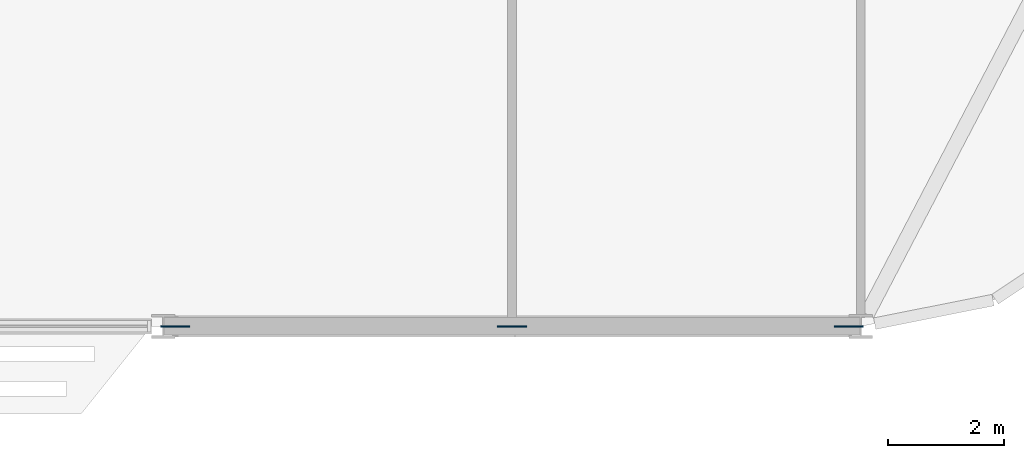
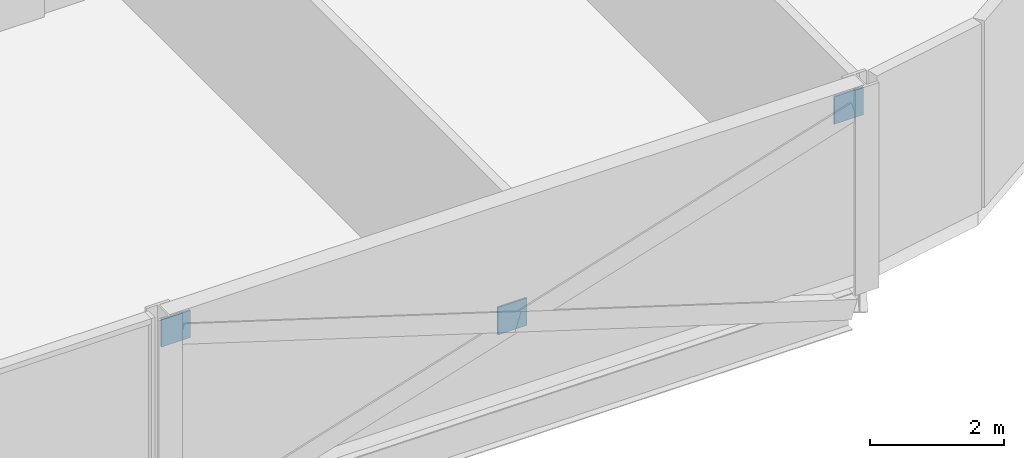
# One storey, part 21 of 28: 3 discrete accessories.
"""IFC4 building model written with IfcOpenShell, lengths in metres."""

from ifc_helpers import new_model, si_unit, direction, frame, origin, origin_2d, place, context, subcontext, project, spatial, rectangle, extrude, material, layer, layer_set, type_object, element, save


model = new_model("IFC4")

# Units and contexts
model_context = context("Model", 3, precision=1e-05, world=origin(), true_north=direction((0.0, 1.0)))
body_context = subcontext(model_context, "Body", "Model", "MODEL_VIEW")
ifc_project = project(units=[si_unit("LENGTHUNIT", "METRE"), si_unit("AREAUNIT", "SQUARE_METRE"), si_unit("VOLUMEUNIT", "CUBIC_METRE"), si_unit("PLANEANGLEUNIT", "RADIAN"), si_unit("MASSUNIT", "GRAM", prefix="KILO")], contexts=[model_context])

# Site, building, storey
site_placement = place(None, origin())
site = spatial("IfcSite", under=ifc_project, at=site_placement, CompositionType="ELEMENT")
building_placement = place(site_placement, origin())
building = spatial("IfcBuilding", under=site, at=building_placement, Name="Mahtab Terrace Research Tower", CompositionType="ELEMENT")
storey_placement = place(building_placement, frame((0.0, 0.0, 185.800048828125)))
storey = spatial("IfcBuildingStorey", under=building, at=storey_placement, Name="L44", CompositionType="ELEMENT", Elevation=185.800048828125)

# Discrete accessories
ifc_material = material(Name="Steel ASTM A992 Gr 50", Category="steel")
ifc_layer = layer(ifc_material, 0.030029296875)
ifc_layer_set = layer_set([ifc_layer], Name="Gusset plate 500x500x30")
discrete_accessory_type = type_object("IfcDiscreteAccessoryType", Name="Gusset plate 500x500x30", PredefinedType="USERDEFINED", material=ifc_layer_set)
for number, where, z_axis, x_axis, name in (
    (1, (30.203125, -23.0, 2.74755859375), (0.0, 0.0, 1.0), (1.0, 0.0, 0.0), "Gusset plate"),
    (2, (36.0, -23.0, 0.94091796875), (0.0, 0.0, 1.0), (1.0, 0.0, 0.0), "Gusset plate"),
    (3, (41.796875, -23.0, 2.74755859375), (0.0, 0.0, 1.0), (1.0, 0.0, 0.0), "Gusset plate"),
):
    element("IfcDiscreteAccessory", number, at=place(storey_placement, frame(where, z_axis=z_axis, x_axis=x_axis)), inside=storey, type_object=discrete_accessory_type, Name=name, ObjectType="GUSSET PLATE", PredefinedType="USERDEFINED", context=body_context, shape_type="SweptSolid", body=[
        extrude(rectangle(XDim=0.5, YDim=0.030029296875, at=origin_2d()), origin(), (0.0, 0.0, 1.0), 0.5),
    ])

save(model, "model.ifc")
